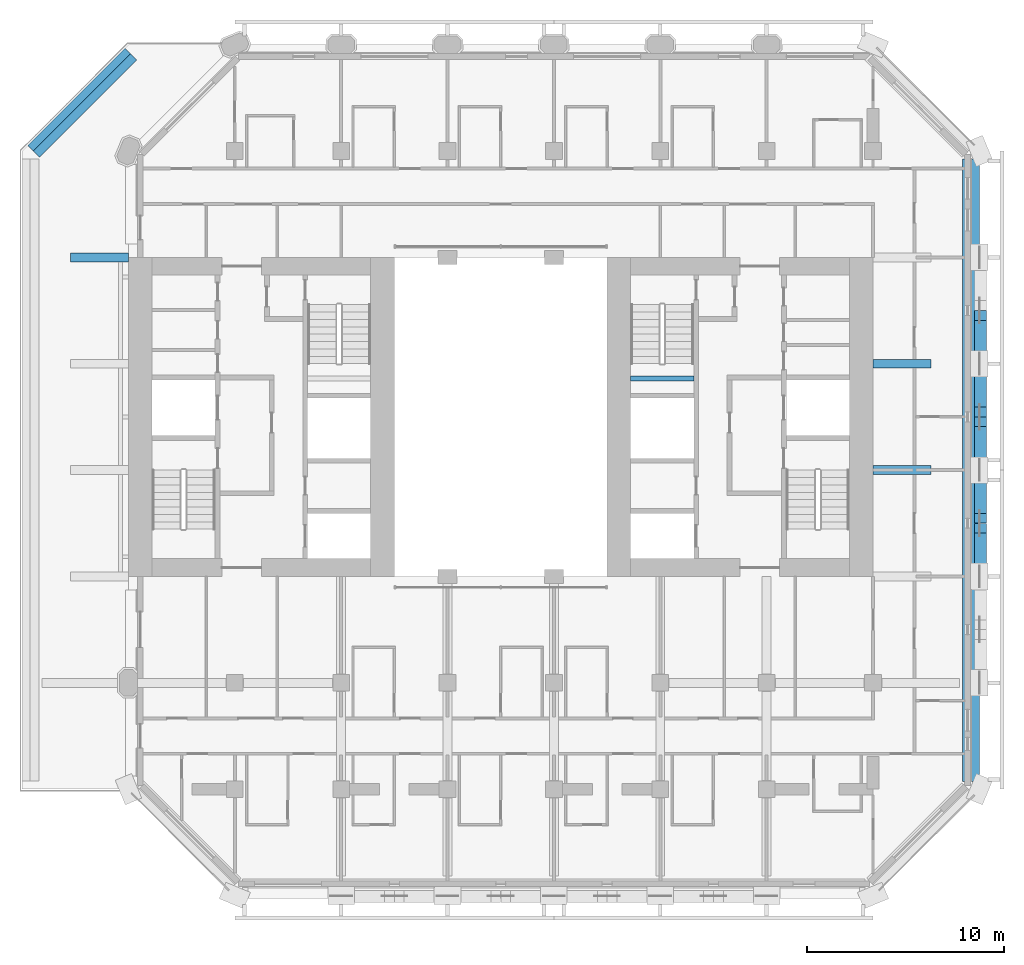
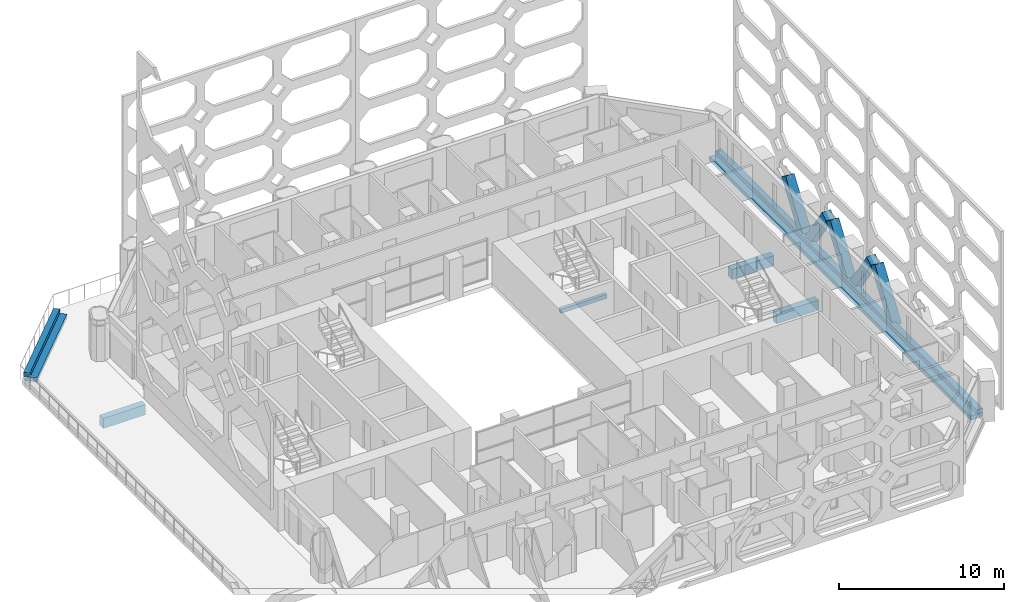
# One storey, part 3 of 16: 8 beams, 5 members.
"""IFC4 building model written with IfcOpenShell, lengths in metres."""

from ifc_helpers import new_model, si_unit, direction, frame, origin, origin_2d, place, context, subcontext, project, spatial, rectangle, extrude, material, material_profile, profile_set, type_object, element, save


model = new_model("IFC4")

# Units and contexts
model_context = context("Model", 3, precision=1e-05, world=origin(), true_north=direction((0.0, 1.0)))
body_context = subcontext(model_context, "Body", "Model", "MODEL_VIEW")
ifc_project = project(units=[si_unit("LENGTHUNIT", "METRE"), si_unit("AREAUNIT", "SQUARE_METRE"), si_unit("VOLUMEUNIT", "CUBIC_METRE"), si_unit("PLANEANGLEUNIT", "RADIAN"), si_unit("MASSUNIT", "GRAM", prefix="KILO")], contexts=[model_context])

# Site, building, storey
site_placement = place(None, origin())
site = spatial("IfcSite", under=ifc_project, at=site_placement, CompositionType="ELEMENT")
building_placement = place(site_placement, origin())
building = spatial("IfcBuilding", under=site, at=building_placement, Name="Tabaq Tower and Sports Hall", CompositionType="ELEMENT")
storey_placement = place(building_placement, frame((0.0, 0.0, 152.800048828125)))
storey = spatial("IfcBuildingStorey", under=building, at=storey_placement, Name="L35", CompositionType="ELEMENT", Elevation=152.800048828125)

# Beams
ifc_material_1 = material(Name="Concrete C40/50", Category="concrete")
ifc_material_profile_1 = material_profile(ifc_material_1, rectangle(XDim=0.449951171875, YDim=0.75, at=origin_2d()), Name="CB 450x750")
ifc_profile_set_1 = profile_set([ifc_material_profile_1], Name="Concrete C40/50")
beam_type_1 = type_object("IfcBeamType", Name="PT CANTILEVER BEAM CB 450x750 C40/50", PredefinedType="BEAM", material=ifc_profile_set_1)
for number, where, z_axis, x_axis, name in (
    (1, (2.449951171875, 32.39990234375, -0.675048828125), (1.0, 0.0, 0.0), (0.0, 1.0, 0.0), "Cantilever Beam L35 W6 span 1"),
    (2, (46.14990234375, 21.60009765625, -0.675048828125), (-1.0, 0.0, 0.0), (0.0, -1.0, 0.0), "Cantilever Beam L35 E4 span 1"),
    (3, (46.14990234375, 27.0, -0.675048828125), (-1.0, 0.0, 0.0), (0.0, -1.0, 0.0), "Cantilever Beam L35 E5 span 1"),
):
    element("IfcBeam", number, at=place(storey_placement, frame(where, z_axis=z_axis, x_axis=x_axis)), inside=storey, type_object=beam_type_1, Name=name, PredefinedType="BEAM", context=body_context, shape_type="SweptSolid", body=[
        extrude(rectangle(XDim=0.449951171875, YDim=0.75, at=origin_2d()), origin(), (0.0, 0.0, 1.0), 2.949951171875),
    ])
ifc_material_2 = material(Name="Concrete C40/50", Category="concrete")
ifc_material_profile_2 = material_profile(ifc_material_2, rectangle(XDim=0.85009765625, YDim=0.300048828125, at=origin_2d()), Name="EB 850x300")
ifc_profile_set_2 = profile_set([ifc_material_profile_2], Name="Concrete C40/50")
beam_type_2 = type_object("IfcBeamType", Name="PT EDGE BEAM EB 850x300 C40/50", PredefinedType="SPANDREL", material=ifc_profile_set_2)
beam_1_placement = place(storey_placement, frame((48.175048828125, 5.802001953125, -0.150146484375), z_axis=(0.0, 1.0, 0.0), x_axis=(-1.0, 0.0, 0.0)))
element("IfcBeam", 4, at=beam_1_placement, inside=storey, type_object=beam_type_2, Name="Edge Beam L35 4", PredefinedType="SPANDREL", context=body_context, shape_type="SweptSolid", body=[
    extrude(rectangle(XDim=0.85009765625, YDim=0.300048828125, at=origin_2d()), origin(), (0.0, 0.0, 1.0), 31.595947265625),
])
beam_2_placement = place(storey_placement, frame((5.523681640625, 42.72265625, -0.150146484375), z_axis=(-0.707106781187, -0.707106781187, 0.0), x_axis=(0.707106781187, -0.707106781187, 0.0)))
element("IfcBeam", 5, at=beam_2_placement, inside=storey, type_object=beam_type_2, Name="Edge Beam L35 6", PredefinedType="SPANDREL", context=body_context, shape_type="SweptSolid", body=[
    extrude(rectangle(XDim=0.85009765625, YDim=0.300048828125, at=origin_2d()), origin(), (0.0, 0.0, 1.0), 6.98486328125),
])
ifc_material_3 = material(Name="Concrete C40/50", Category="concrete")
ifc_material_profile_3 = material_profile(ifc_material_3, rectangle(XDim=0.39990234375, YDim=0.300048828125, at=origin_2d()), Name="EU 400x300")
ifc_profile_set_3 = profile_set([ifc_material_profile_3], Name="Concrete C40/50")
beam_type_3 = type_object("IfcBeamType", Name="PT EDGE UPSTAND EU 400x300 C40/50", PredefinedType="BEAM", material=ifc_profile_set_3)
beam_3_placement = place(storey_placement, frame((48.39990234375, 5.802001953125, 0.14990234375), z_axis=(0.0, 1.0, 0.0), x_axis=(-1.0, 0.0, 0.0)))
element("IfcBeam", 6, at=beam_3_placement, inside=storey, type_object=beam_type_3, Name="Edge Upstand L35 4", PredefinedType="BEAM", context=body_context, shape_type="SweptSolid", body=[
    extrude(rectangle(XDim=0.39990234375, YDim=0.300048828125, at=origin_2d()), origin(), (0.0, 0.0, 1.0), 31.595947265625),
])
beam_4_placement = place(storey_placement, frame((5.36474609375, 42.8818359375, 0.14990234375), z_axis=(-0.707106781187, -0.707106781187, 0.0), x_axis=(0.707106781187, -0.707106781187, 0.0)))
element("IfcBeam", 7, at=beam_4_placement, inside=storey, type_object=beam_type_3, Name="Edge Upstand L35 6", PredefinedType="BEAM", context=body_context, shape_type="SweptSolid", body=[
    extrude(rectangle(XDim=0.39990234375, YDim=0.300048828125, at=origin_2d()), origin(), (0.0, 0.0, 1.0), 6.98486328125),
])

# Members
ifc_material_4 = material(Name="Concrete C50/60", Category="concrete")
ifc_material_profile_4 = material_profile(ifc_material_4, rectangle(XDim=0.60009765625, YDim=0.60009765625, at=origin_2d()), Name="TRANSFER BAND BRACE 600x600")
ifc_profile_set_4 = profile_set([ifc_material_profile_4], Name="Concrete C50/60")
member_type = type_object("IfcMemberType", Name="RC TRANSFER BAND BRACE 600x600 C50/60", PredefinedType="BRACE", material=ifc_profile_set_4)
for number, where, z_axis, x_axis, name in (
    (8, (48.64990234375, 16.449951171875, -0.050048828125), (0.0, 0.56652615464, 0.824043758613), (-1.0, 0.0, 0.0), "Transfer Band Brace L35 East 11"),
    (9, (48.64990234375, 21.35009765625, -0.050048828125), (0.0, -0.566568844459, 0.824014407937), (1.0, 0.0, 0.0), "Transfer Band Brace L35 East 12"),
    (10, (48.64990234375, 21.85009765625, -0.050048828125), (0.0, 0.56652615464, 0.824043758613), (-1.0, 0.0, 0.0), "Transfer Band Brace L35 East 13"),
    (11, (48.64990234375, 26.75, -0.050048828125), (0.0, -0.56652615464, 0.824043758613), (1.0, 0.0, 0.0), "Transfer Band Brace L35 East 14"),
    (12, (48.64990234375, 27.25, -0.050048828125), (0.0, 0.56652615464, 0.824043758613), (-1.0, 0.0, 0.0), "Transfer Band Brace L35 East 15"),
):
    element("IfcMember", number, at=place(storey_placement, frame(where, z_axis=z_axis, x_axis=x_axis)), inside=storey, type_object=member_type, Name=name, PredefinedType="BRACE", context=body_context, shape_type="SweptSolid", body=[
        extrude(rectangle(XDim=0.60009765625, YDim=0.60009765625, at=origin_2d()), origin(), (0.0, 0.0, 1.0), 3.88330078125),
    ])

# Beam
ifc_material_5 = material(Name="Concrete C40/50", Category="concrete")
ifc_material_profile_5 = material_profile(ifc_material_5, rectangle(XDim=0.25, YDim=0.300048828125, at=origin_2d()), Name="RC 250x300")
ifc_profile_set_5 = profile_set([ifc_material_profile_5], Name="Concrete C40/50")
beam_type_4 = type_object("IfcBeamType", Name="Stair landing beam 250x300", PredefinedType="BEAM", material=ifc_profile_set_5)
beam_5_placement = place(storey_placement, frame((30.89990234375, 26.25, 1.300048828125), z_axis=(1.0, 0.0, 0.0), x_axis=(0.0, 1.0, 0.0)))
element("IfcBeam", 13, at=beam_5_placement, inside=storey, type_object=beam_type_4, Name="L35 ST4 landing beam 1", PredefinedType="BEAM", context=body_context, shape_type="SweptSolid", body=[
    extrude(rectangle(XDim=0.25, YDim=0.300048828125, at=origin_2d()), origin(), (0.0, 0.0, 1.0), 3.2001953125),
])

save(model, "model.ifc")
